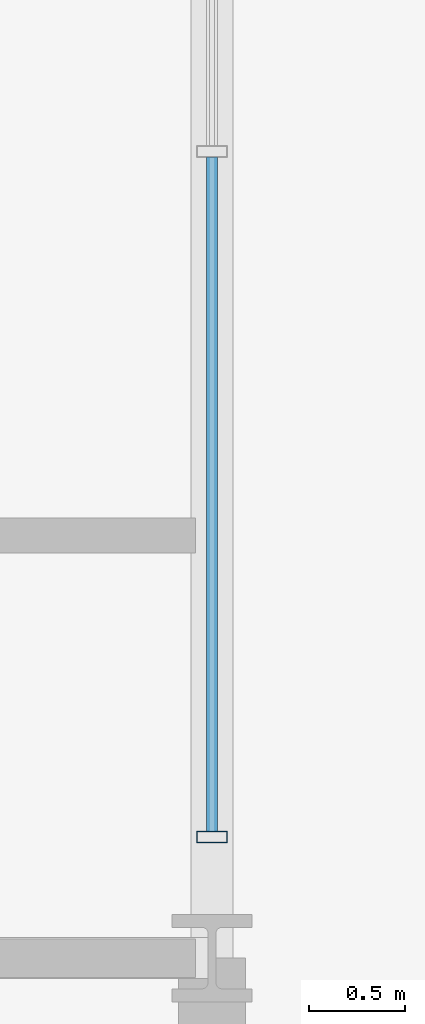
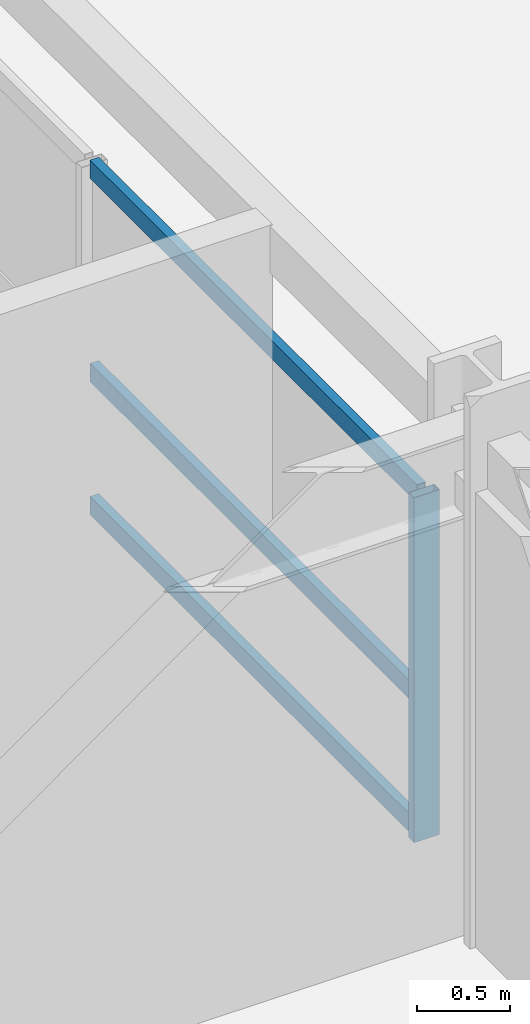
# One storey, part 14 of 27: 4 members, 1 element without a shape of its own.
"""IFC4 building model written with IfcOpenShell, lengths in metres."""

import ifcopenshell
import ifcopenshell.guid

model = None  # the IFC model being written
_history = None  # IfcOwnerHistory: only IFC2X3 demands one
_inside = {}  # id of a spatial element -> (the spatial element, [elements in it])
_under = {}  # id of a project, library or spatial element -> (it, [spatial elements below it])
_declared = {}  # id of a project -> (the project, [libraries it declares])
_typed = {}  # id of a type object -> (the type object, [elements of that type])
_made_of = {}  # id of a material, layer set ... -> (it, [elements and type objects made of it])


def new_model(schema):
    """Start an empty IFC model of exactly this schema.

    Asked for "IFC4X3", IfcOpenShell would pick the latest addendum, in which some entities
    have other attributes; the version numbers below select the first issue.
    IFC2X3 requires an IfcOwnerHistory on every rooted entity: one is made here for all.
    """
    global model, _history
    if schema == "IFC4X3":
        model = ifcopenshell.file(schema_version=(4, 3, 0, 0))
    else:
        model = ifcopenshell.file(schema=schema)
    _inside.clear()
    _under.clear()
    _declared.clear()
    _typed.clear()
    _made_of.clear()
    _history = None
    if model.schema == "IFC2X3":
        org = make("IfcOrganization", Name="unknown")
        user = make(
            "IfcPersonAndOrganization",
            ThePerson=make("IfcPerson", FamilyName="unknown"),
            TheOrganization=org,
        )
        app = make(
            "IfcApplication",
            ApplicationDeveloper=org,
            Version="unknown",
            ApplicationFullName="unknown",
            ApplicationIdentifier="unknown",
        )
        _history = make(
            "IfcOwnerHistory",
            OwningUser=user,
            OwningApplication=app,
            ChangeAction="ADDED",
            CreationDate=0,
        )
    return model


def make(cls, **values):
    """One entity of the class cls with the attributes given. An attribute that is None is left unset."""
    return model.create_entity(
        cls, **{name: value for name, value in values.items() if value is not None}
    )


def rooted(cls, **values):
    """An entity with a GlobalId (a new one), such as an element, a storey or a relation."""
    return make(cls, GlobalId=ifcopenshell.guid.new(), OwnerHistory=_history, **values)


def si_unit(unit_type, name, prefix=None):
    """IfcSIUnit, for example si_unit("LENGTHUNIT", "METRE", prefix="MILLI")."""
    return make("IfcSIUnit", UnitType=unit_type, Prefix=prefix, Name=name)


def assignment(units):
    """IfcUnitAssignment: the units of a project."""
    return None if units is None else make("IfcUnitAssignment", Units=units)


def point(xyz):
    """IfcCartesianPoint."""
    return None if xyz is None else make("IfcCartesianPoint", Coordinates=xyz)


def direction(xyz):
    """IfcDirection."""
    return None if xyz is None else make("IfcDirection", DirectionRatios=xyz)


def frame(location, z_axis=None, x_axis=None):
    """IfcAxis2Placement3D, a coordinate frame: its origin and axes. An axis left out is left unset."""
    return make(
        "IfcAxis2Placement3D",
        Location=point(location),
        Axis=direction(z_axis),
        RefDirection=direction(x_axis),
    )


def frame_2d(location, x_axis=None):
    """IfcAxis2Placement2D, a coordinate frame in the plane: its origin and x axis."""
    return make(
        "IfcAxis2Placement2D", Location=point(location), RefDirection=direction(x_axis)
    )


def origin():
    """The frame at (0, 0, 0) with its axes left unset."""
    return frame((0.0, 0.0, 0.0))


def origin_2d():
    """The frame at (0, 0) in the plane with its x axis left unset."""
    return frame_2d((0.0, 0.0))


def place(relative_to, where):
    """IfcLocalPlacement: puts the frame where relative to a parent placement (None: the world)."""
    return make(
        "IfcLocalPlacement", PlacementRelTo=relative_to, RelativePlacement=where
    )


def context(
    kind, dimensions, precision=None, world=None, true_north=None, identifier=None
):
    """IfcGeometricRepresentationContext, for example the 3D "Model" context."""
    return make(
        "IfcGeometricRepresentationContext",
        ContextIdentifier=identifier,
        ContextType=kind,
        CoordinateSpaceDimension=dimensions,
        Precision=precision,
        WorldCoordinateSystem=world,
        TrueNorth=true_north,
    )


def subcontext(parent, identifier, kind, view, scale=None):
    """IfcGeometricRepresentationSubContext, for example "Body" below "Model"."""
    return make(
        "IfcGeometricRepresentationSubContext",
        ContextIdentifier=identifier,
        ContextType=kind,
        ParentContext=parent,
        TargetScale=scale,
        TargetView=view,
    )


def project(units=None, contexts=None):
    """IfcProject with its units and contexts."""
    return rooted(
        "IfcProject",
        Name="project",
        RepresentationContexts=contexts,
        UnitsInContext=assignment(units),
    )


def spatial(cls, under=None, at=None, **own):
    """A site, building, storey or space (cls), placed at a placement, below another one or the project."""
    s = rooted(cls, ObjectPlacement=at, **own)
    if under is not None:
        _under.setdefault(under.id(), (under, []))[1].append(s)
    return s


def profile(cls, at=None, kind="AREA", **sizes):
    """A parametric profile (cls). Its sizes go by their IFC names, for example OverallWidth=200.0."""
    return make(cls, ProfileType=kind, Position=at, **sizes)


def hollow_rectangle(**sizes):
    """IfcRectangleHollowProfileDef."""
    return profile("IfcRectangleHollowProfileDef", **sizes)


def extrude(swept, where, along, depth):
    """IfcExtrudedAreaSolid: the profile swept, set in the frame where, extruded along a direction by depth."""
    return make(
        "IfcExtrudedAreaSolid",
        SweptArea=swept,
        Position=where,
        ExtrudedDirection=direction(along),
        Depth=depth,
    )


def shape(context_of_items, identifier, shape_type, items):
    """IfcShapeRepresentation: the items that make up one representation, for example the "Body"."""
    return make(
        "IfcShapeRepresentation",
        ContextOfItems=context_of_items,
        RepresentationIdentifier=identifier,
        RepresentationType=shape_type,
        Items=items,
    )


def material(Name=None, Category=None):
    """IfcMaterial."""
    return make("IfcMaterial", Name=Name, Category=Category)


def material_profile(
    of_material, cross_section, Name=None, Category=None, Priority=None
):
    """IfcMaterialProfile: a cross section and its material."""
    return make(
        "IfcMaterialProfile",
        Name=Name,
        Material=of_material,
        Profile=cross_section,
        Priority=Priority,
        Category=Category,
    )


def profile_set(profiles, Name=None, composite=None):
    """IfcMaterialProfileSet."""
    return make(
        "IfcMaterialProfileSet",
        Name=Name,
        MaterialProfiles=profiles,
        CompositeProfile=composite,
    )


def made_of(thing, what):
    """Note that an element or type object is made of a material, layer set ...; save() writes the relation."""
    if what is not None:
        _made_of.setdefault(what.id(), (what, []))[1].append(thing)
    return thing


def type_object(cls, material=None, **own):
    """A type object (cls), such as IfcWallType, which elements share."""
    return made_of(rooted(cls, **own), material)


def element(
    cls,
    number,
    at=None,
    inside=None,
    cuts=None,
    type_object=None,
    material=None,
    context=None,
    identifier="Body",
    shape_type=None,
    held_by="IfcProductDefinitionShape",
    body=None,
    shapes=None,
    **own,
):
    """One element of the class cls, such as IfcWall. Its Tag is "e" and its number.

    at: its placement. inside: the storey or other place that contains it. cuts: it is an
    opening in that element (IfcRelVoidsElement). A single representation is given by context,
    identifier, shape_type and body (its items); several are given by shapes. held_by: the class
    of the entity that holds the representations. save() writes the other relations.
    """
    e = rooted(cls, Tag="e%d" % number, ObjectPlacement=at, **own)
    if body is not None:
        shapes = [shape(context, identifier, shape_type, body)]
    if shapes is not None:
        e.Representation = make(held_by, Representations=shapes)
    if inside is not None:
        _inside.setdefault(inside.id(), (inside, []))[1].append(e)
    if cuts is not None:
        rooted(
            "IfcRelVoidsElement", RelatingBuildingElement=cuts, RelatedOpeningElement=e
        )
    if type_object is not None:
        _typed.setdefault(type_object.id(), (type_object, []))[1].append(e)
    return made_of(e, material)


def aggregate(whole, parts):
    """IfcRelAggregates: a whole, such as a stair, and the parts it consists of."""
    return rooted("IfcRelAggregates", RelatingObject=whole, RelatedObjects=parts)


def save(model, path):
    """Write the relations noted so far, then the file.

    IfcRelAggregates (storeys below a building ...), IfcRelContainedInSpatialStructure (elements
    in a storey), IfcRelDefinesByType, IfcRelAssociatesMaterial and IfcRelDeclares: one each for
    every whole, place, type object, material and project.
    """
    for whole, parts in _under.values():
        aggregate(whole, parts)
    for where, things in _inside.values():
        rooted(
            "IfcRelContainedInSpatialStructure",
            RelatedElements=things,
            RelatingStructure=where,
        )
    for kind, things in _typed.values():
        rooted("IfcRelDefinesByType", RelatedObjects=things, RelatingType=kind)
    for what, things in _made_of.values():
        rooted("IfcRelAssociatesMaterial", RelatedObjects=things, RelatingMaterial=what)
    for by, libraries in _declared.values():
        rooted("IfcRelDeclares", RelatingContext=by, RelatedDefinitions=libraries)
    model.write(path)


model = new_model("IFC4")

# Units and contexts
model_context = context("Model", 3, precision=1e-05, world=origin(), true_north=direction((0.0, 1.0)))
body_context = subcontext(model_context, "Body", "Model", "MODEL_VIEW")
ifc_project = project(units=[si_unit("LENGTHUNIT", "METRE"), si_unit("AREAUNIT", "SQUARE_METRE"), si_unit("VOLUMEUNIT", "CUBIC_METRE"), si_unit("PLANEANGLEUNIT", "RADIAN"), si_unit("MASSUNIT", "GRAM", prefix="KILO")], contexts=[model_context])

# Site, building, storey
site_placement = place(None, origin())
site = spatial("IfcSite", under=ifc_project, at=site_placement, CompositionType="ELEMENT")
building_placement = place(site_placement, origin())
building = spatial("IfcBuilding", under=site, at=building_placement, Name="Kaldorvane Square Convention Centre", CompositionType="ELEMENT")
storey_placement = place(building_placement, frame((0.0, 0.0, 38.399993896484375)))
storey = spatial("IfcBuildingStorey", under=building, at=storey_placement, Name="L08", CompositionType="ELEMENT", Elevation=38.399993896484375)

# Curtain wall, members
ifc_material = material(Name="Anodized Aluminum and Low-E Insulated Glazing", Category="aluminium")
curtain_wall_type = type_object("IfcCurtainWallType", Name="CW-UNI-HTL-A", PredefinedType="USERDEFINED", material=ifc_material)
curtain_wall_placement = place(storey_placement, origin())
curtain_wall = element("IfcCurtainWall", 1, at=curtain_wall_placement, inside=storey, type_object=curtain_wall_type, Name="Curtain Wall CW-10 (L08)", ObjectType="UNITISED GLAZING", PredefinedType="USERDEFINED")
ifc_material_profile_1 = material_profile(ifc_material, hollow_rectangle(XDim=0.05999755859375, YDim=0.160003662109375, WallThickness=0.003204345703125, at=origin_2d()), Name="CWM-160X60")
ifc_profile_set_1 = profile_set([ifc_material_profile_1], Name="Anodized Aluminum and Low-E Insulated Glazing")
member_type_1 = type_object("IfcMemberType", Name="CW-MUL-160", PredefinedType="MULLION", material=ifc_profile_set_1)
member_1_placement = place(storey_placement, frame((84.0, 105.6300048828125, 0.1500091552734375), z_axis=(0.0, 0.0, 1.0), x_axis=(0.0, 1.0, 0.0)))
member_1 = element("IfcMember", 2, at=member_1_placement, type_object=member_type_1, Name="CW-10 mullion 1", PredefinedType="MULLION", context=body_context, shape_type="SweptSolid", body=[
    extrude(hollow_rectangle(XDim=0.05999755859375, YDim=0.160003662109375, WallThickness=0.003204345703125, at=origin_2d()), origin(), (0.0, 0.0, 1.0), 2.2599945068359375),
])
ifc_material_profile_2 = material_profile(ifc_material, hollow_rectangle(XDim=0.05499267578125, YDim=0.1199951171875, WallThickness=0.0030059814453125, at=origin_2d()), Name="CWT-120X55")
ifc_profile_set_2 = profile_set([ifc_material_profile_2], Name="Anodized Aluminum and Low-E Insulated Glazing")
member_type_2 = type_object("IfcMemberType", Name="CW-TRN-120", PredefinedType="USERDEFINED", material=ifc_profile_set_2)
member_2_placement = place(storey_placement, frame((84.0, 105.66000366210938, 0.1775054931640625), z_axis=(0.0, 1.0, 0.0), x_axis=(-1.0, 0.0, 0.0)))
member_2 = element("IfcMember", 3, at=member_2_placement, type_object=member_type_2, Name="CW-10 transom 1.1", ObjectType="TRANSOM", PredefinedType="USERDEFINED", context=body_context, shape_type="SweptSolid", body=[
    extrude(hollow_rectangle(XDim=0.05499267578125, YDim=0.1199951171875, WallThickness=0.0030059814453125, at=origin_2d()), origin(), (0.0, 0.0, 1.0), 3.5099945068359375),
])
member_3_placement = place(storey_placement, frame((84.0, 105.66000366210938, 1.0500030517578125), z_axis=(0.0, 1.0, 0.0), x_axis=(-1.0, 0.0, 0.0)))
member_3 = element("IfcMember", 4, at=member_3_placement, type_object=member_type_2, Name="CW-10 transom 1.2", ObjectType="TRANSOM", PredefinedType="USERDEFINED", context=body_context, shape_type="SweptSolid", body=[
    extrude(hollow_rectangle(XDim=0.05499267578125, YDim=0.1199951171875, WallThickness=0.0030059814453125, at=origin_2d()), origin(), (0.0, 0.0, 1.0), 3.5099945068359375),
])
member_4_placement = place(storey_placement, frame((84.0, 105.66000366210938, 2.38250732421875), z_axis=(0.0, 1.0, 0.0), x_axis=(-1.0, 0.0, 0.0)))
member_4 = element("IfcMember", 5, at=member_4_placement, type_object=member_type_2, Name="CW-10 transom 1.3", ObjectType="TRANSOM", PredefinedType="USERDEFINED", context=body_context, shape_type="SweptSolid", body=[
    extrude(hollow_rectangle(XDim=0.05499267578125, YDim=0.1199951171875, WallThickness=0.0030059814453125, at=origin_2d()), origin(), (0.0, 0.0, 1.0), 3.5099945068359375),
])
aggregate(curtain_wall, [member_1, member_2, member_3, member_4])

save(model, "model.ifc")
